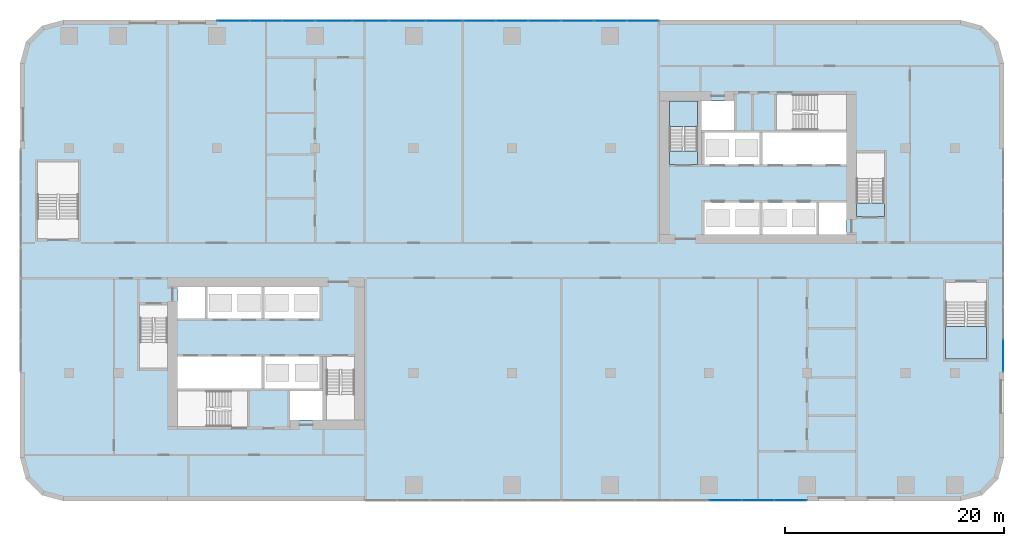
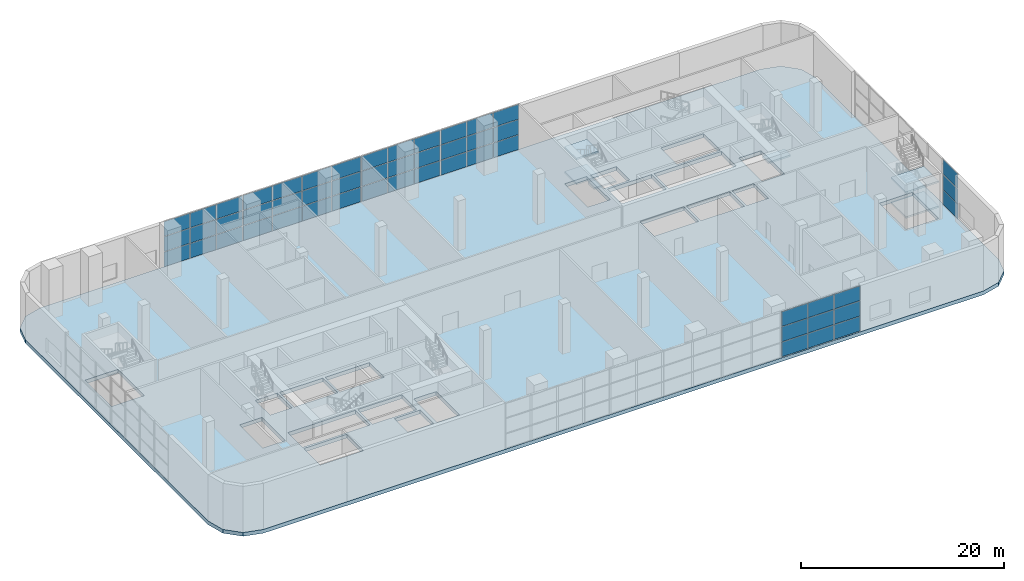
# One storey, part 10 of 27: 51 plates, 7 slabs, 9 elements without a shape of their own.
"""IFC4 building model written with IfcOpenShell, lengths in metres."""

from ifc_helpers import new_model, si_unit, direction, frame, origin, origin_2d, place, context, subcontext, project, spatial, polyline, rectangle, outline, extrude, material, layer, layer_set, type_object, element, aggregate, save


model = new_model("IFC4")

# Units and contexts
model_context = context("Model", 3, precision=1e-05, world=origin(), true_north=direction((0.0, 1.0)))
body_context = subcontext(model_context, "Body", "Model", "MODEL_VIEW")
ifc_project = project(units=[si_unit("LENGTHUNIT", "METRE"), si_unit("AREAUNIT", "SQUARE_METRE"), si_unit("VOLUMEUNIT", "CUBIC_METRE"), si_unit("PLANEANGLEUNIT", "RADIAN"), si_unit("MASSUNIT", "GRAM", prefix="KILO")], contexts=[model_context])

# Site, building, storey
site_placement = place(None, origin())
site = spatial("IfcSite", under=ifc_project, at=site_placement, CompositionType="ELEMENT")
building_placement = place(site_placement, origin())
building = spatial("IfcBuilding", under=site, at=building_placement, Name="Kajstack Hotel Tower", CompositionType="ELEMENT")
storey_placement = place(building_placement, frame((0.0, 0.0, 11.0)))
storey = spatial("IfcBuildingStorey", under=building, at=storey_placement, Name="L01", CompositionType="ELEMENT", Elevation=11.0)

# Curtain wall, plates
ifc_material_1 = material(Name="Aluminium-framed curtain wall, low-iron glass", Category="aluminium")
curtain_wall_type = type_object("IfcCurtainWallType", Name="CW-LOBBY", PredefinedType="NOTDEFINED", material=ifc_material_1)
curtain_wall_1_placement = place(storey_placement, origin())
curtain_wall_1 = element("IfcCurtainWall", 1, at=curtain_wall_1_placement, inside=storey, type_object=curtain_wall_type, Name="Curtain wall CU1 L01-03-02-3", PredefinedType="NOTDEFINED")
ifc_material_2 = material(Name="Low-iron glass", Category="glass")
ifc_layer_1 = layer(ifc_material_2, 0.031982421875)
ifc_layer_set_1 = layer_set([ifc_layer_1], Name="CW-P-LOBBY")
plate_type = type_object("IfcPlateType", Name="CW-P-LOBBY", PredefinedType="CURTAIN_PANEL", material=ifc_layer_set_1)
plate_1_placement = place(storey_placement, frame((19.514892578125, -21.925048828125, 0.06005859375), z_axis=(0.0, 0.0, 1.0), x_axis=(1.0, 0.0, 0.0)))
plate_1 = element("IfcPlate", 2, at=plate_1_placement, type_object=plate_type, Name="CU1 panel 1.1", PredefinedType="CURTAIN_PANEL", context=body_context, shape_type="SweptSolid", body=[
    extrude(rectangle(XDim=2.909912109375, YDim=0.031982421875, at=origin_2d()), origin(), (0.0, 0.0, 1.0), 1.760009765625),
])
plate_2_placement = place(storey_placement, frame((19.514892578125, -21.925048828125, 1.8798828125), z_axis=(0.0, 0.0, 1.0), x_axis=(1.0, 0.0, 0.0)))
plate_2 = element("IfcPlate", 3, at=plate_2_placement, type_object=plate_type, Name="CU1 panel 1.2", PredefinedType="CURTAIN_PANEL", context=body_context, shape_type="SweptSolid", body=[
    extrude(rectangle(XDim=2.909912109375, YDim=0.031982421875, at=origin_2d()), origin(), (0.0, 0.0, 1.0), 1.7900390625),
])
plate_3_placement = place(storey_placement, frame((19.514892578125, -21.925048828125, 3.72998046875), z_axis=(0.0, 0.0, 1.0), x_axis=(1.0, 0.0, 0.0)))
plate_3 = element("IfcPlate", 4, at=plate_3_placement, type_object=plate_type, Name="CU1 panel 1.3", PredefinedType="CURTAIN_PANEL", context=body_context, shape_type="SweptSolid", body=[
    extrude(rectangle(XDim=2.909912109375, YDim=0.031982421875, at=origin_2d()), origin(), (0.0, 0.0, 1.0), 1.760009765625),
])
plate_4_placement = place(storey_placement, frame((22.5, -21.925048828125, 0.06005859375), z_axis=(0.0, 0.0, 1.0), x_axis=(1.0, 0.0, 0.0)))
plate_4 = element("IfcPlate", 5, at=plate_4_placement, type_object=plate_type, Name="CU1 panel 2.1", PredefinedType="CURTAIN_PANEL", context=body_context, shape_type="SweptSolid", body=[
    extrude(rectangle(XDim=2.93994140625, YDim=0.031982421875, at=origin_2d()), origin(), (0.0, 0.0, 1.0), 1.760009765625),
])
plate_5_placement = place(storey_placement, frame((22.5, -21.925048828125, 1.8798828125), z_axis=(0.0, 0.0, 1.0), x_axis=(1.0, 0.0, 0.0)))
plate_5 = element("IfcPlate", 6, at=plate_5_placement, type_object=plate_type, Name="CU1 panel 2.2", PredefinedType="CURTAIN_PANEL", context=body_context, shape_type="SweptSolid", body=[
    extrude(rectangle(XDim=2.93994140625, YDim=0.031982421875, at=origin_2d()), origin(), (0.0, 0.0, 1.0), 1.7900390625),
])
plate_6_placement = place(storey_placement, frame((22.5, -21.925048828125, 3.72998046875), z_axis=(0.0, 0.0, 1.0), x_axis=(1.0, 0.0, 0.0)))
plate_6 = element("IfcPlate", 7, at=plate_6_placement, type_object=plate_type, Name="CU1 panel 2.3", PredefinedType="CURTAIN_PANEL", context=body_context, shape_type="SweptSolid", body=[
    extrude(rectangle(XDim=2.93994140625, YDim=0.031982421875, at=origin_2d()), origin(), (0.0, 0.0, 1.0), 1.760009765625),
])
plate_7_placement = place(storey_placement, frame((25.485107421875, -21.925048828125, 0.06005859375), z_axis=(0.0, 0.0, 1.0), x_axis=(1.0, 0.0, 0.0)))
plate_7 = element("IfcPlate", 8, at=plate_7_placement, type_object=plate_type, Name="CU1 panel 3.1", PredefinedType="CURTAIN_PANEL", context=body_context, shape_type="SweptSolid", body=[
    extrude(rectangle(XDim=2.909912109375, YDim=0.031982421875, at=origin_2d()), origin(), (0.0, 0.0, 1.0), 1.760009765625),
])
plate_8_placement = place(storey_placement, frame((25.485107421875, -21.925048828125, 1.8798828125), z_axis=(0.0, 0.0, 1.0), x_axis=(1.0, 0.0, 0.0)))
plate_8 = element("IfcPlate", 9, at=plate_8_placement, type_object=plate_type, Name="CU1 panel 3.2", PredefinedType="CURTAIN_PANEL", context=body_context, shape_type="SweptSolid", body=[
    extrude(rectangle(XDim=2.909912109375, YDim=0.031982421875, at=origin_2d()), origin(), (0.0, 0.0, 1.0), 1.7900390625),
])
plate_9_placement = place(storey_placement, frame((25.485107421875, -21.925048828125, 3.72998046875), z_axis=(0.0, 0.0, 1.0), x_axis=(1.0, 0.0, 0.0)))
plate_9 = element("IfcPlate", 10, at=plate_9_placement, type_object=plate_type, Name="CU1 panel 3.3", PredefinedType="CURTAIN_PANEL", context=body_context, shape_type="SweptSolid", body=[
    extrude(rectangle(XDim=2.909912109375, YDim=0.031982421875, at=origin_2d()), origin(), (0.0, 0.0, 1.0), 1.760009765625),
])
aggregate(curtain_wall_1, [plate_1, plate_2, plate_3, plate_4, plate_5, plate_6, plate_7, plate_8, plate_9])

curtain_wall_2_placement = place(storey_placement, origin())
curtain_wall_2 = element("IfcCurtainWall", 11, at=curtain_wall_2_placement, inside=storey, type_object=curtain_wall_type, Name="Curtain wall CU1 L01-07-01-0", PredefinedType="NOTDEFINED")
plate_10_placement = place(storey_placement, frame((44.925048828125, -8.68505859375, 0.06005859375), z_axis=(0.0, 0.0, 1.0), x_axis=(0.0, 1.0, 0.0)))
plate_10 = element("IfcPlate", 12, at=plate_10_placement, type_object=plate_type, Name="CU1 panel 1.1", PredefinedType="CURTAIN_PANEL", context=body_context, shape_type="SweptSolid", body=[
    extrude(rectangle(XDim=2.909912109375, YDim=0.031982421875, at=origin_2d()), origin(), (0.0, 0.0, 1.0), 1.760009765625),
])
plate_11_placement = place(storey_placement, frame((44.925048828125, -8.68505859375, 1.8798828125), z_axis=(0.0, 0.0, 1.0), x_axis=(0.0, 1.0, 0.0)))
plate_11 = element("IfcPlate", 13, at=plate_11_placement, type_object=plate_type, Name="CU1 panel 1.2", PredefinedType="CURTAIN_PANEL", context=body_context, shape_type="SweptSolid", body=[
    extrude(rectangle(XDim=2.909912109375, YDim=0.031982421875, at=origin_2d()), origin(), (0.0, 0.0, 1.0), 1.7900390625),
])
plate_12_placement = place(storey_placement, frame((44.925048828125, -8.68505859375, 3.72998046875), z_axis=(0.0, 0.0, 1.0), x_axis=(0.0, 1.0, 0.0)))
plate_12 = element("IfcPlate", 14, at=plate_12_placement, type_object=plate_type, Name="CU1 panel 1.3", PredefinedType="CURTAIN_PANEL", context=body_context, shape_type="SweptSolid", body=[
    extrude(rectangle(XDim=2.909912109375, YDim=0.031982421875, at=origin_2d()), origin(), (0.0, 0.0, 1.0), 1.760009765625),
])
aggregate(curtain_wall_2, [plate_10, plate_11, plate_12])

curtain_wall_3_placement = place(storey_placement, origin())
curtain_wall_3 = element("IfcCurtainWall", 15, at=curtain_wall_3_placement, inside=storey, type_object=curtain_wall_type, Name="Curtain wall CU1 L01-11-02-0", PredefinedType="NOTDEFINED")
plate_13_placement = place(storey_placement, frame((11.985107421875, 21.925048828125, 0.06005859375), z_axis=(0.0, 0.0, 1.0), x_axis=(-1.0, 0.0, 0.0)))
plate_13 = element("IfcPlate", 16, at=plate_13_placement, type_object=plate_type, Name="CU1 panel 1.1", PredefinedType="CURTAIN_PANEL", context=body_context, shape_type="SweptSolid", body=[
    extrude(rectangle(XDim=2.909912109375, YDim=0.031982421875, at=origin_2d()), origin(), (0.0, 0.0, 1.0), 1.760009765625),
])
plate_14_placement = place(storey_placement, frame((11.985107421875, 21.925048828125, 1.8798828125), z_axis=(0.0, 0.0, 1.0), x_axis=(-1.0, 0.0, 0.0)))
plate_14 = element("IfcPlate", 17, at=plate_14_placement, type_object=plate_type, Name="CU1 panel 1.2", PredefinedType="CURTAIN_PANEL", context=body_context, shape_type="SweptSolid", body=[
    extrude(rectangle(XDim=2.909912109375, YDim=0.031982421875, at=origin_2d()), origin(), (0.0, 0.0, 1.0), 1.7900390625),
])
plate_15_placement = place(storey_placement, frame((11.985107421875, 21.925048828125, 3.72998046875), z_axis=(0.0, 0.0, 1.0), x_axis=(-1.0, 0.0, 0.0)))
plate_15 = element("IfcPlate", 18, at=plate_15_placement, type_object=plate_type, Name="CU1 panel 1.3", PredefinedType="CURTAIN_PANEL", context=body_context, shape_type="SweptSolid", body=[
    extrude(rectangle(XDim=2.909912109375, YDim=0.031982421875, at=origin_2d()), origin(), (0.0, 0.0, 1.0), 1.760009765625),
])
plate_16_placement = place(storey_placement, frame((9.0, 21.925048828125, 0.06005859375), z_axis=(0.0, 0.0, 1.0), x_axis=(-1.0, 0.0, 0.0)))
plate_16 = element("IfcPlate", 19, at=plate_16_placement, type_object=plate_type, Name="CU1 panel 2.1", PredefinedType="CURTAIN_PANEL", context=body_context, shape_type="SweptSolid", body=[
    extrude(rectangle(XDim=2.93994140625, YDim=0.031982421875, at=origin_2d()), origin(), (0.0, 0.0, 1.0), 1.760009765625),
])
plate_17_placement = place(storey_placement, frame((9.0, 21.925048828125, 1.8798828125), z_axis=(0.0, 0.0, 1.0), x_axis=(-1.0, 0.0, 0.0)))
plate_17 = element("IfcPlate", 20, at=plate_17_placement, type_object=plate_type, Name="CU1 panel 2.2", PredefinedType="CURTAIN_PANEL", context=body_context, shape_type="SweptSolid", body=[
    extrude(rectangle(XDim=2.93994140625, YDim=0.031982421875, at=origin_2d()), origin(), (0.0, 0.0, 1.0), 1.7900390625),
])
plate_18_placement = place(storey_placement, frame((9.0, 21.925048828125, 3.72998046875), z_axis=(0.0, 0.0, 1.0), x_axis=(-1.0, 0.0, 0.0)))
plate_18 = element("IfcPlate", 21, at=plate_18_placement, type_object=plate_type, Name="CU1 panel 2.3", PredefinedType="CURTAIN_PANEL", context=body_context, shape_type="SweptSolid", body=[
    extrude(rectangle(XDim=2.93994140625, YDim=0.031982421875, at=origin_2d()), origin(), (0.0, 0.0, 1.0), 1.760009765625),
])
plate_19_placement = place(storey_placement, frame((6.014892578125, 21.925048828125, 0.06005859375), z_axis=(0.0, 0.0, 1.0), x_axis=(-1.0, 0.0, 0.0)))
plate_19 = element("IfcPlate", 22, at=plate_19_placement, type_object=plate_type, Name="CU1 panel 3.1", PredefinedType="CURTAIN_PANEL", context=body_context, shape_type="SweptSolid", body=[
    extrude(rectangle(XDim=2.909912109375, YDim=0.031982421875, at=origin_2d()), origin(), (0.0, 0.0, 1.0), 1.760009765625),
])
plate_20_placement = place(storey_placement, frame((6.014892578125, 21.925048828125, 1.8798828125), z_axis=(0.0, 0.0, 1.0), x_axis=(-1.0, 0.0, 0.0)))
plate_20 = element("IfcPlate", 23, at=plate_20_placement, type_object=plate_type, Name="CU1 panel 3.2", PredefinedType="CURTAIN_PANEL", context=body_context, shape_type="SweptSolid", body=[
    extrude(rectangle(XDim=2.909912109375, YDim=0.031982421875, at=origin_2d()), origin(), (0.0, 0.0, 1.0), 1.7900390625),
])
plate_21_placement = place(storey_placement, frame((6.014892578125, 21.925048828125, 3.72998046875), z_axis=(0.0, 0.0, 1.0), x_axis=(-1.0, 0.0, 0.0)))
plate_21 = element("IfcPlate", 24, at=plate_21_placement, type_object=plate_type, Name="CU1 panel 3.3", PredefinedType="CURTAIN_PANEL", context=body_context, shape_type="SweptSolid", body=[
    extrude(rectangle(XDim=2.909912109375, YDim=0.031982421875, at=origin_2d()), origin(), (0.0, 0.0, 1.0), 1.760009765625),
])
aggregate(curtain_wall_3, [plate_13, plate_14, plate_15, plate_16, plate_17, plate_18, plate_19, plate_20, plate_21])

curtain_wall_4_placement = place(storey_placement, origin())
curtain_wall_4 = element("IfcCurtainWall", 25, at=curtain_wall_4_placement, inside=storey, type_object=curtain_wall_type, Name="Curtain wall CU1 L01-11-02-1", PredefinedType="NOTDEFINED")
plate_22_placement = place(storey_placement, frame((2.985107421875, 21.925048828125, 0.06005859375), z_axis=(0.0, 0.0, 1.0), x_axis=(-1.0, 0.0, 0.0)))
plate_22 = element("IfcPlate", 26, at=plate_22_placement, type_object=plate_type, Name="CU1 panel 1.1", PredefinedType="CURTAIN_PANEL", context=body_context, shape_type="SweptSolid", body=[
    extrude(rectangle(XDim=2.909912109375, YDim=0.031982421875, at=origin_2d()), origin(), (0.0, 0.0, 1.0), 1.760009765625),
])
plate_23_placement = place(storey_placement, frame((2.985107421875, 21.925048828125, 1.8798828125), z_axis=(0.0, 0.0, 1.0), x_axis=(-1.0, 0.0, 0.0)))
plate_23 = element("IfcPlate", 27, at=plate_23_placement, type_object=plate_type, Name="CU1 panel 1.2", PredefinedType="CURTAIN_PANEL", context=body_context, shape_type="SweptSolid", body=[
    extrude(rectangle(XDim=2.909912109375, YDim=0.031982421875, at=origin_2d()), origin(), (0.0, 0.0, 1.0), 1.7900390625),
])
plate_24_placement = place(storey_placement, frame((2.985107421875, 21.925048828125, 3.72998046875), z_axis=(0.0, 0.0, 1.0), x_axis=(-1.0, 0.0, 0.0)))
plate_24 = element("IfcPlate", 28, at=plate_24_placement, type_object=plate_type, Name="CU1 panel 1.3", PredefinedType="CURTAIN_PANEL", context=body_context, shape_type="SweptSolid", body=[
    extrude(rectangle(XDim=2.909912109375, YDim=0.031982421875, at=origin_2d()), origin(), (0.0, 0.0, 1.0), 1.760009765625),
])
plate_25_placement = place(storey_placement, frame((0.0, 21.925048828125, 0.06005859375), z_axis=(0.0, 0.0, 1.0), x_axis=(-1.0, 0.0, 0.0)))
plate_25 = element("IfcPlate", 29, at=plate_25_placement, type_object=plate_type, Name="CU1 panel 2.1", PredefinedType="CURTAIN_PANEL", context=body_context, shape_type="SweptSolid", body=[
    extrude(rectangle(XDim=2.93994140625, YDim=0.031982421875, at=origin_2d()), origin(), (0.0, 0.0, 1.0), 1.760009765625),
])
plate_26_placement = place(storey_placement, frame((0.0, 21.925048828125, 1.8798828125), z_axis=(0.0, 0.0, 1.0), x_axis=(-1.0, 0.0, 0.0)))
plate_26 = element("IfcPlate", 30, at=plate_26_placement, type_object=plate_type, Name="CU1 panel 2.2", PredefinedType="CURTAIN_PANEL", context=body_context, shape_type="SweptSolid", body=[
    extrude(rectangle(XDim=2.93994140625, YDim=0.031982421875, at=origin_2d()), origin(), (0.0, 0.0, 1.0), 1.7900390625),
])
plate_27_placement = place(storey_placement, frame((0.0, 21.925048828125, 3.72998046875), z_axis=(0.0, 0.0, 1.0), x_axis=(-1.0, 0.0, 0.0)))
plate_27 = element("IfcPlate", 31, at=plate_27_placement, type_object=plate_type, Name="CU1 panel 2.3", PredefinedType="CURTAIN_PANEL", context=body_context, shape_type="SweptSolid", body=[
    extrude(rectangle(XDim=2.93994140625, YDim=0.031982421875, at=origin_2d()), origin(), (0.0, 0.0, 1.0), 1.760009765625),
])
plate_28_placement = place(storey_placement, frame((-2.985107421875, 21.925048828125, 0.06005859375), z_axis=(0.0, 0.0, 1.0), x_axis=(-1.0, 0.0, 0.0)))
plate_28 = element("IfcPlate", 32, at=plate_28_placement, type_object=plate_type, Name="CU1 panel 3.1", PredefinedType="CURTAIN_PANEL", context=body_context, shape_type="SweptSolid", body=[
    extrude(rectangle(XDim=2.909912109375, YDim=0.031982421875, at=origin_2d()), origin(), (0.0, 0.0, 1.0), 1.760009765625),
])
plate_29_placement = place(storey_placement, frame((-2.985107421875, 21.925048828125, 1.8798828125), z_axis=(0.0, 0.0, 1.0), x_axis=(-1.0, 0.0, 0.0)))
plate_29 = element("IfcPlate", 33, at=plate_29_placement, type_object=plate_type, Name="CU1 panel 3.2", PredefinedType="CURTAIN_PANEL", context=body_context, shape_type="SweptSolid", body=[
    extrude(rectangle(XDim=2.909912109375, YDim=0.031982421875, at=origin_2d()), origin(), (0.0, 0.0, 1.0), 1.7900390625),
])
plate_30_placement = place(storey_placement, frame((-2.985107421875, 21.925048828125, 3.72998046875), z_axis=(0.0, 0.0, 1.0), x_axis=(-1.0, 0.0, 0.0)))
plate_30 = element("IfcPlate", 34, at=plate_30_placement, type_object=plate_type, Name="CU1 panel 3.3", PredefinedType="CURTAIN_PANEL", context=body_context, shape_type="SweptSolid", body=[
    extrude(rectangle(XDim=2.909912109375, YDim=0.031982421875, at=origin_2d()), origin(), (0.0, 0.0, 1.0), 1.760009765625),
])
aggregate(curtain_wall_4, [plate_22, plate_23, plate_24, plate_25, plate_26, plate_27, plate_28, plate_29, plate_30])

curtain_wall_5_placement = place(storey_placement, origin())
curtain_wall_5 = element("IfcCurtainWall", 35, at=curtain_wall_5_placement, inside=storey, type_object=curtain_wall_type, Name="Curtain wall CU1 L01-11-02-2", PredefinedType="NOTDEFINED")
plate_31_placement = place(storey_placement, frame((-6.202392578125, 21.925048828125, 0.06005859375), z_axis=(0.0, 0.0, 1.0), x_axis=(-1.0, 0.0, 0.0)))
plate_31 = element("IfcPlate", 36, at=plate_31_placement, type_object=plate_type, Name="CU1 panel 1.1", PredefinedType="CURTAIN_PANEL", context=body_context, shape_type="SweptSolid", body=[
    extrude(rectangle(XDim=3.284912109375, YDim=0.031982421875, at=origin_2d()), origin(), (0.0, 0.0, 1.0), 1.760009765625),
])
plate_32_placement = place(storey_placement, frame((-6.202392578125, 21.925048828125, 1.8798828125), z_axis=(0.0, 0.0, 1.0), x_axis=(-1.0, 0.0, 0.0)))
plate_32 = element("IfcPlate", 37, at=plate_32_placement, type_object=plate_type, Name="CU1 panel 1.2", PredefinedType="CURTAIN_PANEL", context=body_context, shape_type="SweptSolid", body=[
    extrude(rectangle(XDim=3.284912109375, YDim=0.031982421875, at=origin_2d()), origin(), (0.0, 0.0, 1.0), 1.7900390625),
])
plate_33_placement = place(storey_placement, frame((-6.202392578125, 21.925048828125, 3.72998046875), z_axis=(0.0, 0.0, 1.0), x_axis=(-1.0, 0.0, 0.0)))
plate_33 = element("IfcPlate", 38, at=plate_33_placement, type_object=plate_type, Name="CU1 panel 1.3", PredefinedType="CURTAIN_PANEL", context=body_context, shape_type="SweptSolid", body=[
    extrude(rectangle(XDim=3.284912109375, YDim=0.031982421875, at=origin_2d()), origin(), (0.0, 0.0, 1.0), 1.760009765625),
])
plate_34_placement = place(storey_placement, frame((-9.5625, 21.925048828125, 0.06005859375), z_axis=(0.0, 0.0, 1.0), x_axis=(-1.0, 0.0, 0.0)))
plate_34 = element("IfcPlate", 39, at=plate_34_placement, type_object=plate_type, Name="CU1 panel 2.1", PredefinedType="CURTAIN_PANEL", context=body_context, shape_type="SweptSolid", body=[
    extrude(rectangle(XDim=3.31494140625, YDim=0.031982421875, at=origin_2d()), origin(), (0.0, 0.0, 1.0), 1.760009765625),
])
plate_35_placement = place(storey_placement, frame((-9.5625, 21.925048828125, 1.8798828125), z_axis=(0.0, 0.0, 1.0), x_axis=(-1.0, 0.0, 0.0)))
plate_35 = element("IfcPlate", 40, at=plate_35_placement, type_object=plate_type, Name="CU1 panel 2.2", PredefinedType="CURTAIN_PANEL", context=body_context, shape_type="SweptSolid", body=[
    extrude(rectangle(XDim=3.31494140625, YDim=0.031982421875, at=origin_2d()), origin(), (0.0, 0.0, 1.0), 1.7900390625),
])
plate_36_placement = place(storey_placement, frame((-9.5625, 21.925048828125, 3.72998046875), z_axis=(0.0, 0.0, 1.0), x_axis=(-1.0, 0.0, 0.0)))
plate_36 = element("IfcPlate", 41, at=plate_36_placement, type_object=plate_type, Name="CU1 panel 2.3", PredefinedType="CURTAIN_PANEL", context=body_context, shape_type="SweptSolid", body=[
    extrude(rectangle(XDim=3.31494140625, YDim=0.031982421875, at=origin_2d()), origin(), (0.0, 0.0, 1.0), 1.760009765625),
])
plate_37_placement = place(storey_placement, frame((-12.9375, 21.925048828125, 0.06005859375), z_axis=(0.0, 0.0, 1.0), x_axis=(-1.0, 0.0, 0.0)))
plate_37 = element("IfcPlate", 42, at=plate_37_placement, type_object=plate_type, Name="CU1 panel 3.1", PredefinedType="CURTAIN_PANEL", context=body_context, shape_type="SweptSolid", body=[
    extrude(rectangle(XDim=3.31494140625, YDim=0.031982421875, at=origin_2d()), origin(), (0.0, 0.0, 1.0), 1.760009765625),
])
plate_38_placement = place(storey_placement, frame((-12.9375, 21.925048828125, 1.8798828125), z_axis=(0.0, 0.0, 1.0), x_axis=(-1.0, 0.0, 0.0)))
plate_38 = element("IfcPlate", 43, at=plate_38_placement, type_object=plate_type, Name="CU1 panel 3.2", PredefinedType="CURTAIN_PANEL", context=body_context, shape_type="SweptSolid", body=[
    extrude(rectangle(XDim=3.31494140625, YDim=0.031982421875, at=origin_2d()), origin(), (0.0, 0.0, 1.0), 1.7900390625),
])
plate_39_placement = place(storey_placement, frame((-12.9375, 21.925048828125, 3.72998046875), z_axis=(0.0, 0.0, 1.0), x_axis=(-1.0, 0.0, 0.0)))
plate_39 = element("IfcPlate", 44, at=plate_39_placement, type_object=plate_type, Name="CU1 panel 3.3", PredefinedType="CURTAIN_PANEL", context=body_context, shape_type="SweptSolid", body=[
    extrude(rectangle(XDim=3.31494140625, YDim=0.031982421875, at=origin_2d()), origin(), (0.0, 0.0, 1.0), 1.760009765625),
])
plate_40_placement = place(storey_placement, frame((-16.297607421875, 21.925048828125, 0.06005859375), z_axis=(0.0, 0.0, 1.0), x_axis=(-1.0, 0.0, 0.0)))
plate_40 = element("IfcPlate", 45, at=plate_40_placement, type_object=plate_type, Name="CU1 panel 4.1", PredefinedType="CURTAIN_PANEL", context=body_context, shape_type="SweptSolid", body=[
    extrude(rectangle(XDim=3.284912109375, YDim=0.031982421875, at=origin_2d()), origin(), (0.0, 0.0, 1.0), 1.760009765625),
])
plate_41_placement = place(storey_placement, frame((-16.297607421875, 21.925048828125, 1.8798828125), z_axis=(0.0, 0.0, 1.0), x_axis=(-1.0, 0.0, 0.0)))
plate_41 = element("IfcPlate", 46, at=plate_41_placement, type_object=plate_type, Name="CU1 panel 4.2", PredefinedType="CURTAIN_PANEL", context=body_context, shape_type="SweptSolid", body=[
    extrude(rectangle(XDim=3.284912109375, YDim=0.031982421875, at=origin_2d()), origin(), (0.0, 0.0, 1.0), 1.7900390625),
])
plate_42_placement = place(storey_placement, frame((-16.297607421875, 21.925048828125, 3.72998046875), z_axis=(0.0, 0.0, 1.0), x_axis=(-1.0, 0.0, 0.0)))
plate_42 = element("IfcPlate", 47, at=plate_42_placement, type_object=plate_type, Name="CU1 panel 4.3", PredefinedType="CURTAIN_PANEL", context=body_context, shape_type="SweptSolid", body=[
    extrude(rectangle(XDim=3.284912109375, YDim=0.031982421875, at=origin_2d()), origin(), (0.0, 0.0, 1.0), 1.760009765625),
])
aggregate(curtain_wall_5, [plate_31, plate_32, plate_33, plate_34, plate_35, plate_36, plate_37, plate_38, plate_39, plate_40, plate_41, plate_42])

curtain_wall_6_placement = place(storey_placement, origin())
curtain_wall_6 = element("IfcCurtainWall", 48, at=curtain_wall_6_placement, inside=storey, type_object=curtain_wall_type, Name="Curtain wall CU1 L01-11-02-3", PredefinedType="NOTDEFINED")
plate_43_placement = place(storey_placement, frame((-19.514892578125, 21.925048828125, 0.06005859375), z_axis=(0.0, 0.0, 1.0), x_axis=(-1.0, 0.0, 0.0)))
plate_43 = element("IfcPlate", 49, at=plate_43_placement, type_object=plate_type, Name="CU1 panel 1.1", PredefinedType="CURTAIN_PANEL", context=body_context, shape_type="SweptSolid", body=[
    extrude(rectangle(XDim=2.909912109375, YDim=0.031982421875, at=origin_2d()), origin(), (0.0, 0.0, 1.0), 1.760009765625),
])
plate_44_placement = place(storey_placement, frame((-19.514892578125, 21.925048828125, 1.8798828125), z_axis=(0.0, 0.0, 1.0), x_axis=(-1.0, 0.0, 0.0)))
plate_44 = element("IfcPlate", 50, at=plate_44_placement, type_object=plate_type, Name="CU1 panel 1.2", PredefinedType="CURTAIN_PANEL", context=body_context, shape_type="SweptSolid", body=[
    extrude(rectangle(XDim=2.909912109375, YDim=0.031982421875, at=origin_2d()), origin(), (0.0, 0.0, 1.0), 1.7900390625),
])
plate_45_placement = place(storey_placement, frame((-19.514892578125, 21.925048828125, 3.72998046875), z_axis=(0.0, 0.0, 1.0), x_axis=(-1.0, 0.0, 0.0)))
plate_45 = element("IfcPlate", 51, at=plate_45_placement, type_object=plate_type, Name="CU1 panel 1.3", PredefinedType="CURTAIN_PANEL", context=body_context, shape_type="SweptSolid", body=[
    extrude(rectangle(XDim=2.909912109375, YDim=0.031982421875, at=origin_2d()), origin(), (0.0, 0.0, 1.0), 1.760009765625),
])
plate_46_placement = place(storey_placement, frame((-22.5, 21.925048828125, 0.06005859375), z_axis=(0.0, 0.0, 1.0), x_axis=(-1.0, 0.0, 0.0)))
plate_46 = element("IfcPlate", 52, at=plate_46_placement, type_object=plate_type, Name="CU1 panel 2.1", PredefinedType="CURTAIN_PANEL", context=body_context, shape_type="SweptSolid", body=[
    extrude(rectangle(XDim=2.93994140625, YDim=0.031982421875, at=origin_2d()), origin(), (0.0, 0.0, 1.0), 1.760009765625),
])
plate_47_placement = place(storey_placement, frame((-22.5, 21.925048828125, 1.8798828125), z_axis=(0.0, 0.0, 1.0), x_axis=(-1.0, 0.0, 0.0)))
plate_47 = element("IfcPlate", 53, at=plate_47_placement, type_object=plate_type, Name="CU1 panel 2.2", PredefinedType="CURTAIN_PANEL", context=body_context, shape_type="SweptSolid", body=[
    extrude(rectangle(XDim=2.93994140625, YDim=0.031982421875, at=origin_2d()), origin(), (0.0, 0.0, 1.0), 1.7900390625),
])
plate_48_placement = place(storey_placement, frame((-22.5, 21.925048828125, 3.72998046875), z_axis=(0.0, 0.0, 1.0), x_axis=(-1.0, 0.0, 0.0)))
plate_48 = element("IfcPlate", 54, at=plate_48_placement, type_object=plate_type, Name="CU1 panel 2.3", PredefinedType="CURTAIN_PANEL", context=body_context, shape_type="SweptSolid", body=[
    extrude(rectangle(XDim=2.93994140625, YDim=0.031982421875, at=origin_2d()), origin(), (0.0, 0.0, 1.0), 1.760009765625),
])
plate_49_placement = place(storey_placement, frame((-25.485107421875, 21.925048828125, 0.06005859375), z_axis=(0.0, 0.0, 1.0), x_axis=(-1.0, 0.0, 0.0)))
plate_49 = element("IfcPlate", 55, at=plate_49_placement, type_object=plate_type, Name="CU1 panel 3.1", PredefinedType="CURTAIN_PANEL", context=body_context, shape_type="SweptSolid", body=[
    extrude(rectangle(XDim=2.909912109375, YDim=0.031982421875, at=origin_2d()), origin(), (0.0, 0.0, 1.0), 1.760009765625),
])
plate_50_placement = place(storey_placement, frame((-25.485107421875, 21.925048828125, 1.8798828125), z_axis=(0.0, 0.0, 1.0), x_axis=(-1.0, 0.0, 0.0)))
plate_50 = element("IfcPlate", 56, at=plate_50_placement, type_object=plate_type, Name="CU1 panel 3.2", PredefinedType="CURTAIN_PANEL", context=body_context, shape_type="SweptSolid", body=[
    extrude(rectangle(XDim=2.909912109375, YDim=0.031982421875, at=origin_2d()), origin(), (0.0, 0.0, 1.0), 1.7900390625),
])
plate_51_placement = place(storey_placement, frame((-25.485107421875, 21.925048828125, 3.72998046875), z_axis=(0.0, 0.0, 1.0), x_axis=(-1.0, 0.0, 0.0)))
plate_51 = element("IfcPlate", 57, at=plate_51_placement, type_object=plate_type, Name="CU1 panel 3.3", PredefinedType="CURTAIN_PANEL", context=body_context, shape_type="SweptSolid", body=[
    extrude(rectangle(XDim=2.909912109375, YDim=0.031982421875, at=origin_2d()), origin(), (0.0, 0.0, 1.0), 1.760009765625),
])
aggregate(curtain_wall_6, [plate_43, plate_44, plate_45, plate_46, plate_47, plate_48, plate_49, plate_50, plate_51])

# Slab
ifc_material_3 = material(Name="Concrete C45/55", Category="concrete")
ifc_layer_2 = layer(ifc_material_3, 0.449951171875)
ifc_layer_set_2 = layer_set([ifc_layer_2], Name="RC slab 450 C45/55 podium")
slab_type_1 = type_object("IfcSlabType", Name="RC slab 450 C45/55 podium", PredefinedType="FLOOR", material=ifc_layer_set_2)
slab_1_placement = place(storey_placement, frame((0.0, 0.0, -0.449951171875)))
element("IfcSlab", 58, at=slab_1_placement, inside=storey, type_object=slab_type_1, Name="S-slab-L01", PredefinedType="FLOOR", context=body_context, shape_type="SweptSolid", body=[
    extrude(outline(polyline([(-45.0, -18.0), (-44.464111328125, -20.0), (-43.0, -21.464111328125), (-41.0, -22.0), (41.0, -22.0), (43.0, -21.464111328125), (44.464111328125, -20.0), (45.0, -18.0), (45.0, 18.0), (44.464111328125, 20.0), (43.0, 21.464111328125), (41.0, 22.0), (-41.0, 22.0), (-43.0, 21.464111328125), (-44.464111328125, 20.0), (-45.0, 18.0), (-45.0, -18.0)]), holes=[polyline([(-30.60009765625, -11.699951171875), (-30.60009765625, -8.800048828125), (-22.89990234375, -8.800048828125), (-22.89990234375, -11.699951171875), (-30.60009765625, -11.699951171875)]), polyline([(-22.64990234375, -11.699951171875), (-22.64990234375, -8.800048828125), (-17.60009765625, -8.800048828125), (-17.60009765625, -11.699951171875), (-22.64990234375, -11.699951171875)]), polyline([(-27.85009765625, -5.300048828125), (-27.85009765625, -2.39990234375), (-22.89990234375, -2.39990234375), (-22.89990234375, -5.300048828125), (-27.85009765625, -5.300048828125)]), polyline([(-22.64990234375, -5.300048828125), (-22.64990234375, -2.39990234375), (-17.60009765625, -2.39990234375), (-17.60009765625, -5.300048828125), (-22.64990234375, -5.300048828125)]), polyline([(-20.300048828125, -14.60009765625), (-17.35009765625, -14.60009765625), (-17.35009765625, -11.949951171875), (-20.300048828125, -11.949951171875), (-20.300048828125, -14.60009765625)]), polyline([(-30.60009765625, -5.300048828125), (-28.10009765625, -5.300048828125), (-28.10009765625, -2.39990234375), (-30.60009765625, -2.39990234375), (-30.60009765625, -5.300048828125)]), polyline([(22.89990234375, 8.800048828125), (22.89990234375, 11.699951171875), (30.60009765625, 11.699951171875), (30.60009765625, 8.800048828125), (22.89990234375, 8.800048828125)]), polyline([(17.60009765625, 8.800048828125), (17.60009765625, 11.699951171875), (22.64990234375, 11.699951171875), (22.64990234375, 8.800048828125), (17.60009765625, 8.800048828125)]), polyline([(22.89990234375, 2.39990234375), (22.89990234375, 5.300048828125), (27.85009765625, 5.300048828125), (27.85009765625, 2.39990234375), (22.89990234375, 2.39990234375)]), polyline([(17.60009765625, 2.39990234375), (17.60009765625, 5.300048828125), (22.64990234375, 5.300048828125), (22.64990234375, 2.39990234375), (17.60009765625, 2.39990234375)]), polyline([(20.300048828125, 14.60009765625), (17.35009765625, 14.60009765625), (17.35009765625, 11.949951171875), (20.300048828125, 11.949951171875), (20.300048828125, 14.60009765625)]), polyline([(30.60009765625, 5.300048828125), (28.10009765625, 5.300048828125), (28.10009765625, 2.39990234375), (30.60009765625, 2.39990234375), (30.60009765625, 5.300048828125)]), polyline([(-34.050048828125, -9.85009765625), (-31.5, -9.85009765625), (-31.5, -5.25), (-34.050048828125, -5.25), (-34.050048828125, -9.85009765625)]), polyline([(-16.949951171875, -14.60009765625), (-14.39990234375, -14.60009765625), (-14.39990234375, -10.0), (-16.949951171875, -10.0), (-16.949951171875, -14.60009765625)]), polyline([(-30.60009765625, -15.199951171875), (-25.699951171875, -15.199951171875), (-25.699951171875, -11.949951171875), (-30.60009765625, -11.949951171875), (-30.60009765625, -15.199951171875)]), polyline([(34.050048828125, 9.85009765625), (31.5, 9.85009765625), (31.5, 5.25), (34.050048828125, 5.25), (34.050048828125, 9.85009765625)]), polyline([(16.949951171875, 14.60009765625), (14.39990234375, 14.60009765625), (14.39990234375, 10.0), (16.949951171875, 10.0), (16.949951171875, 14.60009765625)]), polyline([(30.60009765625, 15.199951171875), (25.699951171875, 15.199951171875), (25.699951171875, 11.949951171875), (30.60009765625, 11.949951171875), (30.60009765625, 15.199951171875)]), polyline([(-43.39990234375, 3.800048828125), (-39.64990234375, 3.800048828125), (-39.64990234375, 9.0), (-43.39990234375, 9.0), (-43.39990234375, 3.800048828125)]), polyline([(39.64990234375, -9.0), (43.39990234375, -9.0), (43.39990234375, -3.800048828125), (39.64990234375, -3.800048828125), (39.64990234375, -9.0)])]), origin(), (0.0, 0.0, 1.0), 0.449951171875),
])

# Stair, slab
ifc_material_4 = material(Name="Concrete C40/50", Category="concrete")
stair_type_1 = type_object("IfcStairType", Name="Exit stair 1200", PredefinedType="HALF_TURN_STAIR", material=ifc_material_4)
stair_1_placement = place(storey_placement, origin())
stair_1 = element("IfcStair", 59, at=stair_1_placement, inside=storey, type_object=stair_type_1, Name="L01 stair E1", PredefinedType="HALF_TURN_STAIR")
ifc_layer_3 = layer(ifc_material_4, 0.199951171875)
ifc_layer_set_3 = layer_set([ifc_layer_3], Name="Stair landing 200")
slab_type_2 = type_object("IfcSlabType", Name="Stair landing 200", PredefinedType="LANDING", material=ifc_layer_set_3)
slab_2_placement = place(storey_placement, frame((0.0, 0.0, 2.800048828125)))
slab_2 = element("IfcSlab", 60, at=slab_2_placement, type_object=slab_type_2, Name="E1 landing 2", PredefinedType="LANDING", context=body_context, shape_type="SweptSolid", body=[
    extrude(outline(polyline([(34.050048828125, 4.050048828125), (34.050048828125, 5.25), (31.5, 5.25), (31.5, 4.050048828125), (34.050048828125, 4.050048828125)])), origin(), (0.0, 0.0, 1.0), 0.199951171875),
])
aggregate(stair_1, [slab_2])

# Stair, slabs
stair_2_placement = place(storey_placement, origin())
stair_2 = element("IfcStair", 61, at=stair_2_placement, inside=storey, type_object=stair_type_1, Name="L01 stair E2", PredefinedType="HALF_TURN_STAIR")
slab_3_placement = place(storey_placement, frame((0.0, 0.0, 1.300048828125)))
slab_3 = element("IfcSlab", 62, at=slab_3_placement, type_object=slab_type_2, Name="E2 landing 1", PredefinedType="LANDING", context=body_context, shape_type="SweptSolid", body=[
    extrude(outline(polyline([(16.949951171875, 12.239990234375), (16.949951171875, 14.60009765625), (14.39990234375, 14.60009765625), (14.39990234375, 12.239990234375), (16.949951171875, 12.239990234375)])), origin(), (0.0, 0.0, 1.0), 0.199951171875),
])
slab_4_placement = place(storey_placement, frame((0.0, 0.0, 2.800048828125)))
slab_4 = element("IfcSlab", 63, at=slab_4_placement, type_object=slab_type_2, Name="E2 landing 2", PredefinedType="LANDING", context=body_context, shape_type="SweptSolid", body=[
    extrude(outline(polyline([(16.949951171875, 8.800048828125), (16.949951171875, 10.0), (14.39990234375, 10.0), (14.39990234375, 8.800048828125), (16.949951171875, 8.800048828125)])), origin(), (0.0, 0.0, 1.0), 0.199951171875),
])
slab_5_placement = place(storey_placement, frame((0.0, 0.0, 4.300048828125)))
slab_5 = element("IfcSlab", 64, at=slab_5_placement, type_object=slab_type_2, Name="E2 landing 3", PredefinedType="LANDING", context=body_context, shape_type="SweptSolid", body=[
    extrude(outline(polyline([(16.949951171875, 12.239990234375), (16.949951171875, 14.60009765625), (14.39990234375, 14.60009765625), (14.39990234375, 12.239990234375), (16.949951171875, 12.239990234375)])), origin(), (0.0, 0.0, 1.0), 0.199951171875),
])
aggregate(stair_2, [slab_3, slab_4, slab_5])

stair_type_2 = type_object("IfcStairType", Name="Escape stair 1800", PredefinedType="HALF_TURN_STAIR", material=ifc_material_4)
stair_3_placement = place(storey_placement, origin())
stair_3 = element("IfcStair", 65, at=stair_3_placement, inside=storey, type_object=stair_type_2, Name="L01 stair P2", PredefinedType="HALF_TURN_STAIR")
slab_6_placement = place(storey_placement, frame((0.0, 0.0, 1.300048828125)))
slab_6 = element("IfcSlab", 66, at=slab_6_placement, type_object=slab_type_2, Name="P2 landing 1", PredefinedType="LANDING", context=body_context, shape_type="SweptSolid", body=[
    extrude(outline(polyline([(39.64990234375, -6.0400390625), (39.64990234375, -9.0), (43.39990234375, -9.0), (43.39990234375, -6.0400390625), (39.64990234375, -6.0400390625)])), origin(), (0.0, 0.0, 1.0), 0.199951171875),
])
slab_7_placement = place(storey_placement, frame((0.0, 0.0, 4.300048828125)))
slab_7 = element("IfcSlab", 67, at=slab_7_placement, type_object=slab_type_2, Name="P2 landing 3", PredefinedType="LANDING", context=body_context, shape_type="SweptSolid", body=[
    extrude(outline(polyline([(39.64990234375, -6.0400390625), (39.64990234375, -9.0), (43.39990234375, -9.0), (43.39990234375, -6.0400390625), (39.64990234375, -6.0400390625)])), origin(), (0.0, 0.0, 1.0), 0.199951171875),
])
aggregate(stair_3, [slab_6, slab_7])

save(model, "model.ifc")
